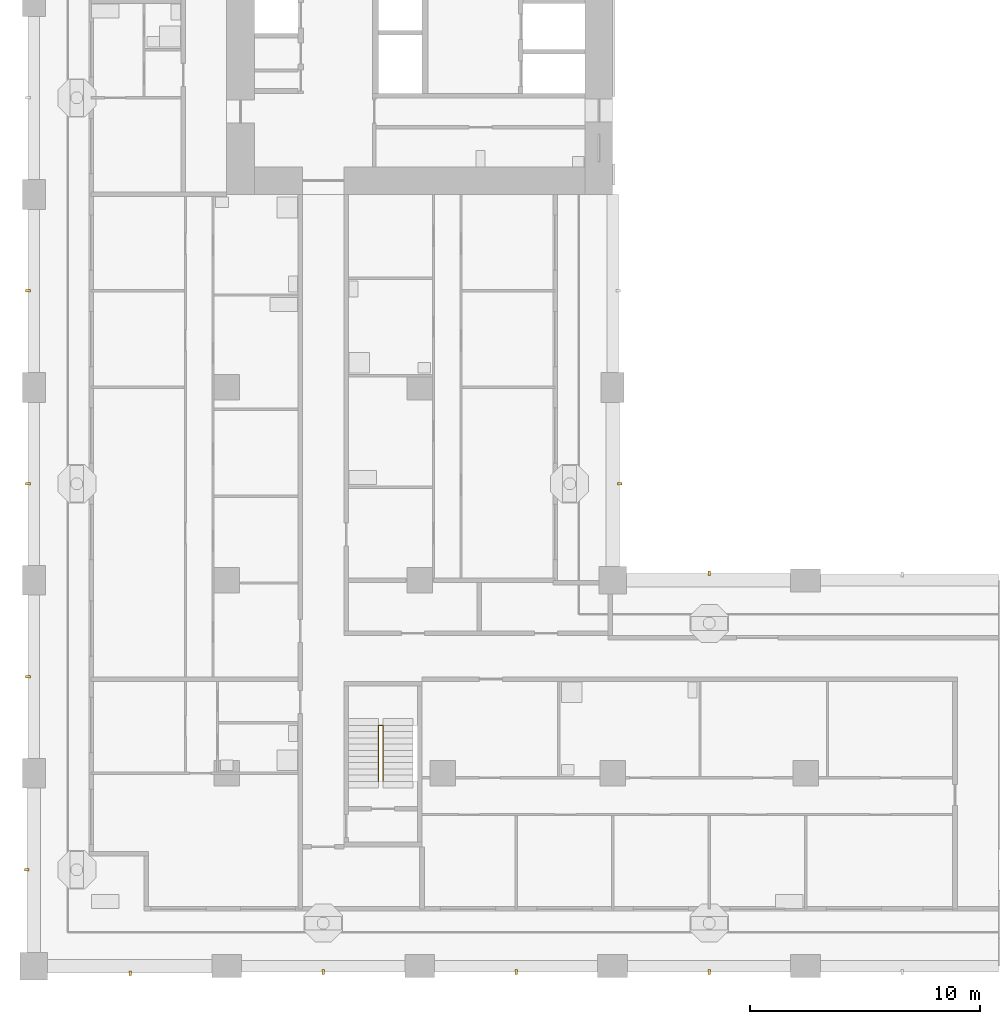
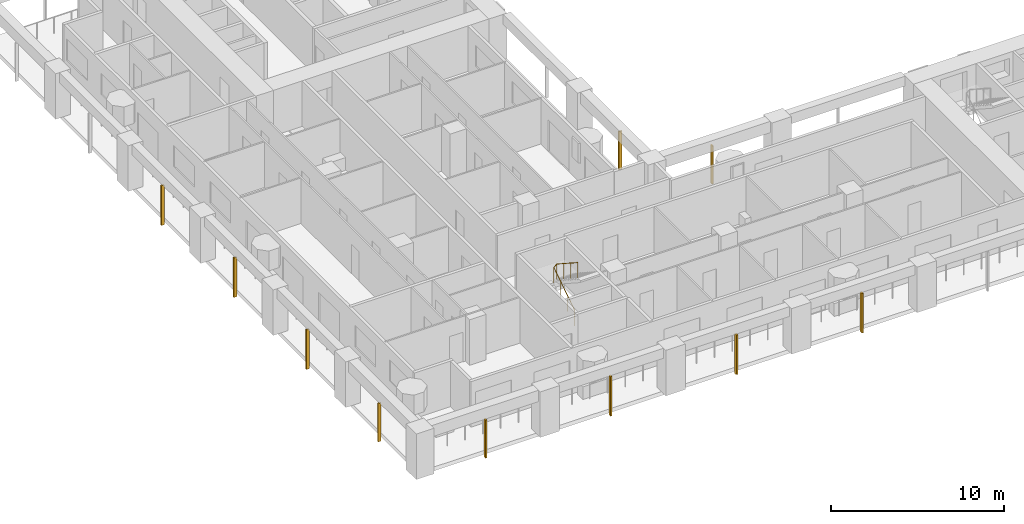
# One storey, part 9 of 18: 10 shading devices, 1 railing.
"""IFC4 building model written with IfcOpenShell, lengths in metres."""

from ifc_helpers import new_model, si_unit, direction, frame, origin, origin_2d, place, context, subcontext, project, spatial, rectangle, circle, extrude, material, material_profile, profile_set, type_object, element, save


model = new_model("IFC4")

# Units and contexts
model_context = context("Model", 3, precision=1e-05, world=origin(), true_north=direction((0.0, 1.0)))
body_context = subcontext(model_context, "Body", "Model", "MODEL_VIEW")
ifc_project = project(units=[si_unit("LENGTHUNIT", "METRE"), si_unit("AREAUNIT", "SQUARE_METRE"), si_unit("VOLUMEUNIT", "CUBIC_METRE"), si_unit("PLANEANGLEUNIT", "RADIAN"), si_unit("MASSUNIT", "GRAM", prefix="KILO")], contexts=[model_context])

# Site, building, storey
site_placement = place(None, origin())
site = spatial("IfcSite", under=ifc_project, at=site_placement, CompositionType="ELEMENT")
building_placement = place(site_placement, origin())
building = spatial("IfcBuilding", under=site, at=building_placement, Name="Vermilion Gate Residences", CompositionType="ELEMENT")
storey_placement = place(building_placement, frame((0.0, 0.0, 102.199951171875)))
storey = spatial("IfcBuildingStorey", under=building, at=storey_placement, Name="L25", CompositionType="ELEMENT", Elevation=102.199951171875)

# Railing
ifc_material_1 = material(Name="Steel S355", Category="steel")
railing_type = type_object("IfcRailingType", Name="STAIR GUARD 1100 STEEL", PredefinedType="GUARDRAIL", material=ifc_material_1)
railing_placement = place(storey_placement, frame((15.0, 16.449951171875, 0.175048828125)))
element("IfcRailing", 1, at=railing_placement, inside=storey, type_object=railing_type, Name="Stair well guard STC1-25", PredefinedType="GUARDRAIL", context=body_context, shape_type="SweptSolid", body=[
    extrude(circle(Radius=0.02392578125, at=origin_2d()), frame((0.0, 0.0, 1.076171875), z_axis=(0.0, 0.839153699163, 0.543894354798), x_axis=(-1.0, 0.0, 0.0)), (0.0, 0.0, 1.0), 2.895751953125),
    extrude(circle(Radius=0.02392578125, at=origin_2d()), frame((0.0, 2.429931640625, 2.65087890625), z_axis=(0.752405939678, 0.0, 0.658699705433), x_axis=(0.0, 1.0, 0.0)), (0.0, 0.0, 1.0), 0.265869140625),
    extrude(circle(Radius=0.02392578125, at=origin_2d()), frame((0.199951171875, 2.429931640625, 2.826171875), z_axis=(0.0, -0.839153699163, 0.543894354798), x_axis=(1.0, 0.0, 0.0)), (0.0, 0.0, 1.0), 2.895751953125),
    extrude(circle(Radius=0.02099609375, at=origin_2d()), origin(), (0.0, 0.0, 1.0), 1.052001953125),
    extrude(circle(Radius=0.02099609375, at=origin_2d()), frame((0.0, 0.81005859375, 0.52490234375)), (0.0, 0.0, 1.0), 1.052001953125),
    extrude(circle(Radius=0.02099609375, at=origin_2d()), frame((0.0, 1.619873046875, 1.050048828125)), (0.0, 0.0, 1.0), 1.052001953125),
    extrude(circle(Radius=0.02099609375, at=origin_2d()), frame((0.0, 2.429931640625, 1.574951171875)), (0.0, 0.0, 1.0), 1.052001953125),
    extrude(circle(Radius=0.02099609375, at=origin_2d()), frame((0.199951171875, 2.429931640625, 1.75)), (0.0, 0.0, 1.0), 1.052001953125),
    extrude(circle(Radius=0.02099609375, at=origin_2d()), frame((0.199951171875, 1.619873046875, 2.27490234375)), (0.0, 0.0, 1.0), 1.052001953125),
    extrude(circle(Radius=0.02099609375, at=origin_2d()), frame((0.199951171875, 0.81005859375, 2.800048828125)), (0.0, 0.0, 1.0), 1.052001953125),
    extrude(circle(Radius=0.02099609375, at=origin_2d()), frame((0.199951171875, 0.0, 3.324951171875)), (0.0, 0.0, 1.0), 1.052001953125),
])

# Shading devices
ifc_material_2 = material(Name="Extruded terracotta", Category="masonry")
ifc_material_profile = material_profile(ifc_material_2, rectangle(XDim=0.199951171875, YDim=0.10009765625, at=origin_2d()), Name="BAGUETTE 100 X 200")
ifc_profile_set = profile_set([ifc_material_profile], Name="Extruded terracotta")
shading_device_type = type_object("IfcShadingDeviceType", Name="TERRACOTTA BAGUETTE 100 X 200", PredefinedType="JALOUSIE", material=ifc_profile_set)
shading_device_placement = place(storey_placement, frame((4.199951171875, 8.10009765625, -0.280029296875), z_axis=(0.0, 0.0, 1.0), x_axis=(0.0, 1.0, 0.0)))
element("IfcShadingDevice", 2, at=shading_device_placement, inside=storey, type_object=shading_device_type, Name="BAGUETTE", PredefinedType="JALOUSIE", context=body_context, shape_type="SweptSolid", body=[
    extrude(rectangle(XDim=0.199951171875, YDim=0.10009765625, at=origin_2d()), origin(), (0.0, 0.0, 1.0), 2.7001953125),
])
for number, where, z_axis, x_axis, name in (
    (3, (12.60009765625, 8.14990234375, -0.280029296875), (0.0, 0.0, 1.0), (0.0, 1.0, 0.0), "BAGUETTE"),
    (4, (21.0, 8.14990234375, -0.280029296875), (0.0, 0.0, 1.0), (0.0, 1.0, 0.0), "BAGUETTE"),
    (5, (29.39990234375, 8.14990234375, -0.280029296875), (0.0, 0.0, 1.0), (0.0, 1.0, 0.0), "BAGUETTE"),
):
    element("IfcShadingDevice", number, at=place(storey_placement, frame(where, z_axis=z_axis, x_axis=x_axis)), inside=storey, type_object=shading_device_type, Name=name, PredefinedType="JALOUSIE", context=body_context, shape_type="SweptSolid", body=[
        extrude(rectangle(XDim=0.199951171875, YDim=0.10009765625, at=origin_2d()), origin(), (0.0, 0.0, 1.0), 2.800048828125),
    ])
for number, where, z_axis, x_axis, name in (
    (6, (29.39990234375, 25.5, -0.280029296875), (0.0, 0.0, 1.0), (0.0, -1.0, 0.0), "BAGUETTE"),
    (7, (25.5, 29.39990234375, -0.280029296875), (0.0, 0.0, 1.0), (-1.0, 0.0, 0.0), "BAGUETTE"),
    (8, (-0.300048828125, 12.60009765625, -0.280029296875), (0.0, 0.0, 1.0), (1.0, 0.0, 0.0), "BAGUETTE"),
):
    element("IfcShadingDevice", number, at=place(storey_placement, frame(where, z_axis=z_axis, x_axis=x_axis)), inside=storey, type_object=shading_device_type, Name=name, PredefinedType="JALOUSIE", context=body_context, shape_type="SweptSolid", body=[
        extrude(rectangle(XDim=0.199951171875, YDim=0.10009765625, at=origin_2d()), origin(), (0.0, 0.0, 1.0), 2.7001953125),
    ])
for number, where, z_axis, x_axis, name in (
    (9, (-0.25, 21.0, -0.280029296875), (0.0, 0.0, 1.0), (1.0, 0.0, 0.0), "BAGUETTE"),
    (10, (-0.25, 29.39990234375, -0.280029296875), (0.0, 0.0, 1.0), (1.0, 0.0, 0.0), "BAGUETTE"),
    (11, (-0.25, 37.800048828125, -0.280029296875), (0.0, 0.0, 1.0), (1.0, 0.0, 0.0), "BAGUETTE"),
):
    element("IfcShadingDevice", number, at=place(storey_placement, frame(where, z_axis=z_axis, x_axis=x_axis)), inside=storey, type_object=shading_device_type, Name=name, PredefinedType="JALOUSIE", context=body_context, shape_type="SweptSolid", body=[
        extrude(rectangle(XDim=0.199951171875, YDim=0.10009765625, at=origin_2d()), origin(), (0.0, 0.0, 1.0), 2.800048828125),
    ])

save(model, "model.ifc")
